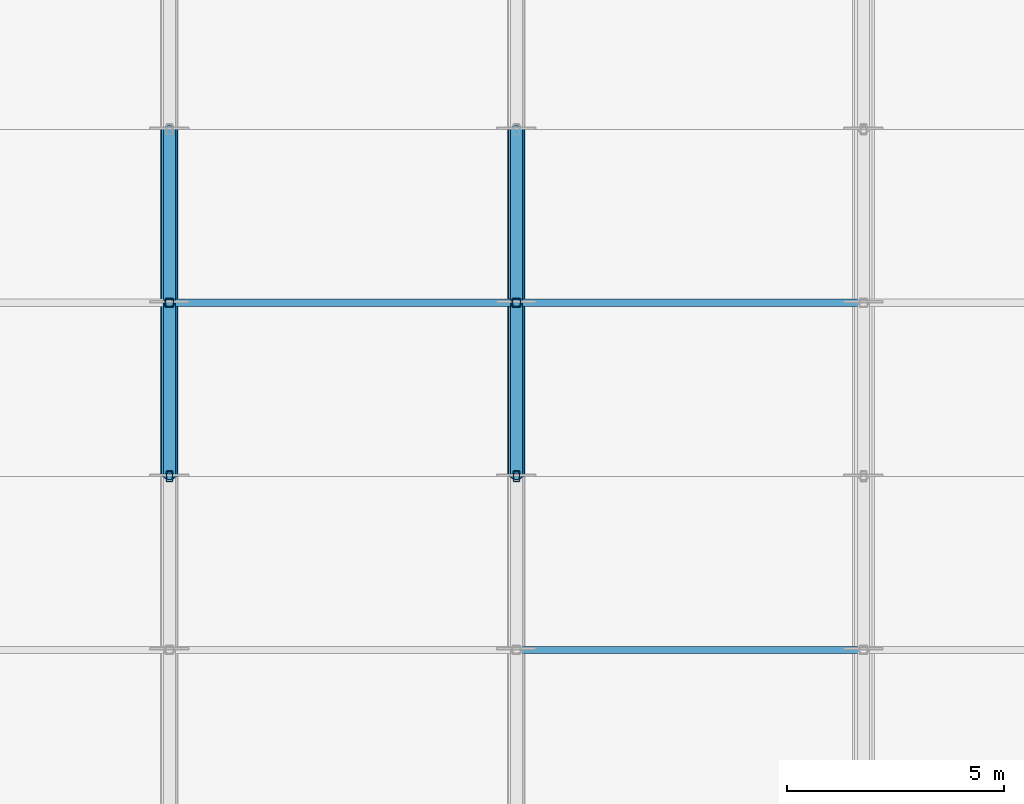
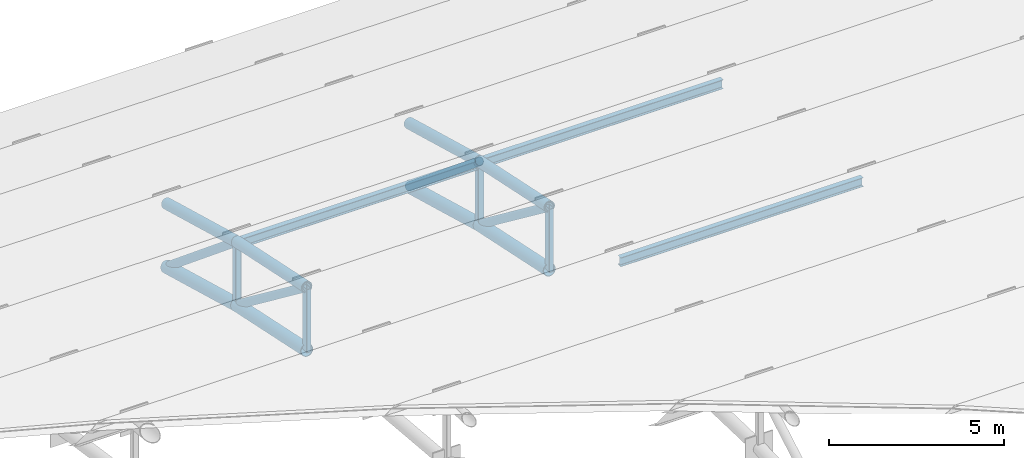
# One storey, part 32 of 98: 19 members.
"""IFC4 building model written with IfcOpenShell, lengths in metres."""

from ifc_helpers import new_model, si_unit, direction, frame, origin, origin_2d, place, context, subcontext, project, spatial, hollow_rectangle, hollow_circle, i_section, extrude, material, material_profile, profile_set, type_object, element, save


model = new_model("IFC4")

# Units and contexts
model_context = context("Model", 3, precision=1e-05, world=origin(), true_north=direction((0.0, 1.0)))
body_context = subcontext(model_context, "Body", "Model", "MODEL_VIEW")
ifc_project = project(units=[si_unit("LENGTHUNIT", "METRE"), si_unit("AREAUNIT", "SQUARE_METRE"), si_unit("VOLUMEUNIT", "CUBIC_METRE"), si_unit("PLANEANGLEUNIT", "RADIAN"), si_unit("MASSUNIT", "GRAM", prefix="KILO")], contexts=[model_context])

# Site, building, storey
site_placement = place(None, origin())
site = spatial("IfcSite", under=ifc_project, at=site_placement, CompositionType="ELEMENT")
building_placement = place(site_placement, origin())
building = spatial("IfcBuilding", under=site, at=building_placement, Name="Tlacozan Convention Centre", CompositionType="ELEMENT")
storey_placement = place(building_placement, frame((0.0, 0.0, 25.800048828125)))
storey = spatial("IfcBuildingStorey", under=building, at=storey_placement, Name="Roof", CompositionType="ELEMENT", Elevation=25.800048828125)

# Members
ifc_material_1 = material(Name="Steel ASTM A500 Grade C", Category="steel")
ifc_material_profile_1 = material_profile(ifc_material_1, hollow_circle(Radius=0.203125, WallThickness=0.015869140625, at=origin_2d()), Name="OC 406.4x15.9")
ifc_profile_set_1 = profile_set([ifc_material_profile_1], Name="Steel ASTM A500 Grade C")
member_type_1 = type_object("IfcMemberType", Name="Arch Bottom Chord OC 406.4x15.9", PredefinedType="CHORD", material=ifc_profile_set_1)
member_1_placement = place(storey_placement, frame((80.0, 106.0, -5.8671875), z_axis=(0.0, 0.978552953366, -0.205995430674), x_axis=(-1.0, 0.0, 0.0)))
element("IfcMember", 1, at=member_1_placement, inside=storey, type_object=member_type_1, Name="V2A Roof Truss 11 Bottom Chord 12", PredefinedType="CHORD", context=body_context, shape_type="SweptSolid", body=[
    extrude(hollow_circle(Radius=0.203125, WallThickness=0.015869140625, at=origin_2d()), origin(), (0.0, 0.0, 1.0), 4.087646484375),
])
member_2_placement = place(storey_placement, frame((80.0, 110.0, -6.709228515625), z_axis=(0.0, 0.964289609145, -0.26485005134), x_axis=(-1.0, 0.0, 0.0)))
element("IfcMember", 2, at=member_2_placement, inside=storey, type_object=member_type_1, Name="V2A Roof Truss 11 Bottom Chord 13", PredefinedType="CHORD", context=body_context, shape_type="SweptSolid", body=[
    extrude(hollow_circle(Radius=0.203125, WallThickness=0.015869140625, at=origin_2d()), origin(), (0.0, 0.0, 1.0), 4.148193359375),
])
member_3_placement = place(storey_placement, frame((88.0, 106.0, -5.8671875), z_axis=(0.0, 0.978552953366, -0.205995430674), x_axis=(-1.0, 0.0, 0.0)))
element("IfcMember", 3, at=member_3_placement, inside=storey, type_object=member_type_1, Name="V2A Roof Truss 12 Bottom Chord 12", PredefinedType="CHORD", context=body_context, shape_type="SweptSolid", body=[
    extrude(hollow_circle(Radius=0.203125, WallThickness=0.015869140625, at=origin_2d()), origin(), (0.0, 0.0, 1.0), 4.087646484375),
])
member_4_placement = place(storey_placement, frame((88.0, 110.0, -6.709228515625), z_axis=(0.0, 0.964289609145, -0.26485005134), x_axis=(-1.0, 0.0, 0.0)))
element("IfcMember", 4, at=member_4_placement, inside=storey, type_object=member_type_1, Name="V2A Roof Truss 12 Bottom Chord 13", PredefinedType="CHORD", context=body_context, shape_type="SweptSolid", body=[
    extrude(hollow_circle(Radius=0.203125, WallThickness=0.015869140625, at=origin_2d()), origin(), (0.0, 0.0, 1.0), 4.148193359375),
])
ifc_material_profile_2 = material_profile(ifc_material_1, hollow_circle(Radius=0.136474609375, WallThickness=0.0126953125, at=origin_2d()), Name="OC 273.1x12.7")
ifc_profile_set_2 = profile_set([ifc_material_profile_2], Name="Steel ASTM A500 Grade C")
member_type_2 = type_object("IfcMemberType", Name="Arch Web Diagonal OC 273.1x12.7", PredefinedType="BRACE", material=ifc_profile_set_2)
member_5_placement = place(storey_placement, frame((80.0, 106.0, -3.667236328125), z_axis=(0.0, 0.795971176065, -0.605334524766), x_axis=(-1.0, 0.0, 0.0)))
element("IfcMember", 5, at=member_5_placement, inside=storey, type_object=member_type_2, Name="V2A Roof Truss 11 Web Diagonal 12", PredefinedType="BRACE", context=body_context, shape_type="SweptSolid", body=[
    extrude(hollow_circle(Radius=0.136474609375, WallThickness=0.0126953125, at=origin_2d()), origin(), (0.0, 0.0, 1.0), 5.025390625),
])
member_6_placement = place(storey_placement, frame((80.0, 110.0, -4.50927734375), z_axis=(0.0, 0.771507331308, -0.63622043172), x_axis=(-1.0, 0.0, 0.0)))
element("IfcMember", 6, at=member_6_placement, inside=storey, type_object=member_type_2, Name="V2A Roof Truss 11 Web Diagonal 13", PredefinedType="BRACE", context=body_context, shape_type="SweptSolid", body=[
    extrude(hollow_circle(Radius=0.136474609375, WallThickness=0.0126953125, at=origin_2d()), origin(), (0.0, 0.0, 1.0), 5.1845703125),
])
member_7_placement = place(storey_placement, frame((88.0, 106.0, -3.667236328125), z_axis=(0.0, 0.795971176065, -0.605334524766), x_axis=(-1.0, 0.0, 0.0)))
element("IfcMember", 7, at=member_7_placement, inside=storey, type_object=member_type_2, Name="V2A Roof Truss 12 Web Diagonal 12", PredefinedType="BRACE", context=body_context, shape_type="SweptSolid", body=[
    extrude(hollow_circle(Radius=0.136474609375, WallThickness=0.0126953125, at=origin_2d()), origin(), (0.0, 0.0, 1.0), 5.025390625),
])
member_8_placement = place(storey_placement, frame((88.0, 110.0, -4.50927734375), z_axis=(0.0, 0.771507331308, -0.63622043172), x_axis=(-1.0, 0.0, 0.0)))
element("IfcMember", 8, at=member_8_placement, inside=storey, type_object=member_type_2, Name="V2A Roof Truss 12 Web Diagonal 13", PredefinedType="BRACE", context=body_context, shape_type="SweptSolid", body=[
    extrude(hollow_circle(Radius=0.136474609375, WallThickness=0.0126953125, at=origin_2d()), origin(), (0.0, 0.0, 1.0), 5.1845703125),
])
ifc_material_profile_3 = material_profile(ifc_material_1, hollow_rectangle(XDim=0.203125, YDim=0.203125, WallThickness=0.0126953125, InnerFilletRadius=0.0126953125, OuterFilletRadius=0.02490234375, at=origin_2d()), Name="OR 203x203x12.7")
ifc_profile_set_3 = profile_set([ifc_material_profile_3], Name="Steel ASTM A500 Grade C")
member_type_3 = type_object("IfcMemberType", Name="Arch Web Strut OR 203x203x12.7", PredefinedType="STRUT", material=ifc_profile_set_3)
for number, where, z_axis, x_axis, name in (
    (9, (80.0, 110.0, -6.709228515625), (0.0, 0.0, 1.0), (1.0, 0.0, 0.0), "V2A Roof Truss 11 Vertical Strut 13"),
    (10, (88.0, 110.0, -6.709228515625), (0.0, 0.0, 1.0), (1.0, 0.0, 0.0), "V2A Roof Truss 12 Vertical Strut 13"),
):
    element("IfcMember", number, at=place(storey_placement, frame(where, z_axis=z_axis, x_axis=x_axis)), inside=storey, type_object=member_type_3, Name=name, PredefinedType="STRUT", context=body_context, shape_type="SweptSolid", body=[
        extrude(hollow_rectangle(XDim=0.203125, YDim=0.203125, WallThickness=0.0126953125, InnerFilletRadius=0.0126953125, OuterFilletRadius=0.02490234375, at=origin_2d()), origin(), (0.0, 0.0, 1.0), 2.199951171875),
    ])
ifc_material_2 = material(Name="Steel ASTM A992 Grade 50", Category="steel")
ifc_material_profile_4 = material_profile(ifc_material_2, i_section(OverallWidth=0.1669921875, OverallDepth=0.31689453125, WebThickness=0.007568359375, FlangeThickness=0.01318359375, FilletRadius=0.010009765625, at=origin_2d()), Name="IR 305x52.2")
ifc_profile_set_4 = profile_set([ifc_material_profile_4], Name="Steel ASTM A992 Grade 50")
member_type_4 = type_object("IfcMemberType", Name="Roof Purlin IR 305x52.2", PredefinedType="PURLIN", material=ifc_profile_set_4)
for number, where, z_axis, x_axis, name in (
    (11, (80.0, 110.0, -4.57421875), (1.0, 0.0, 0.0), (0.0, 1.0, 0.0), "V2A Roof Truss Purlin 11.13"),
    (12, (88.0, 102.0, -3.13720703125), (1.0, 0.0, 0.0), (0.0, 1.0, 0.0), "V2A Roof Truss Purlin 12.11"),
    (13, (88.0, 110.0, -4.57421875), (1.0, 0.0, 0.0), (0.0, 1.0, 0.0), "V2A Roof Truss Purlin 12.13"),
):
    element("IfcMember", number, at=place(storey_placement, frame(where, z_axis=z_axis, x_axis=x_axis)), inside=storey, type_object=member_type_4, Name=name, PredefinedType="PURLIN", context=body_context, shape_type="SweptSolid", body=[
        extrude(i_section(OverallWidth=0.1669921875, OverallDepth=0.31689453125, WebThickness=0.007568359375, FlangeThickness=0.01318359375, FilletRadius=0.010009765625, at=origin_2d()), origin(), (0.0, 0.0, 1.0), 8.0),
    ])
ifc_material_profile_5 = material_profile(ifc_material_1, hollow_circle(Radius=0.177734375, WallThickness=0.015869140625, at=origin_2d()), Name="OC 355.6x15.9")
ifc_profile_set_5 = profile_set([ifc_material_profile_5], Name="Steel ASTM A500 Grade C")
member_type_5 = type_object("IfcMemberType", Name="Secondary Arch Chord OC 355.6x15.9", PredefinedType="CHORD", material=ifc_profile_set_5)
member_9_placement = place(storey_placement, frame((80.0, 106.0, -3.667236328125), z_axis=(0.0, 0.978552953366, -0.205995430674), x_axis=(-1.0, 0.0, 0.0)))
element("IfcMember", 14, at=member_9_placement, inside=storey, type_object=member_type_5, Name="V2A Roof Truss 11 Top Chord 12", PredefinedType="CHORD", context=body_context, shape_type="SweptSolid", body=[
    extrude(hollow_circle(Radius=0.177734375, WallThickness=0.015869140625, at=origin_2d()), origin(), (0.0, 0.0, 1.0), 4.087646484375),
])
member_10_placement = place(storey_placement, frame((80.0, 110.0, -4.50927734375), z_axis=(0.0, 0.964304639076, -0.264795322949), x_axis=(-1.0, 0.0, 0.0)))
element("IfcMember", 15, at=member_10_placement, inside=storey, type_object=member_type_5, Name="V2A Roof Truss 11 Top Chord 13", PredefinedType="CHORD", context=body_context, shape_type="SweptSolid", body=[
    extrude(hollow_circle(Radius=0.177734375, WallThickness=0.015869140625, at=origin_2d()), origin(), (0.0, 0.0, 1.0), 4.14794921875),
])
member_11_placement = place(storey_placement, frame((88.0, 106.0, -3.667236328125), z_axis=(0.0, 0.978552953366, -0.205995430674), x_axis=(-1.0, 0.0, 0.0)))
element("IfcMember", 16, at=member_11_placement, inside=storey, type_object=member_type_5, Name="V2A Roof Truss 12 Top Chord 12", PredefinedType="CHORD", context=body_context, shape_type="SweptSolid", body=[
    extrude(hollow_circle(Radius=0.177734375, WallThickness=0.015869140625, at=origin_2d()), origin(), (0.0, 0.0, 1.0), 4.087646484375),
])
member_12_placement = place(storey_placement, frame((88.0, 110.0, -4.50927734375), z_axis=(0.0, 0.964304639076, -0.264795322949), x_axis=(-1.0, 0.0, 0.0)))
element("IfcMember", 17, at=member_12_placement, inside=storey, type_object=member_type_5, Name="V2A Roof Truss 12 Top Chord 13", PredefinedType="CHORD", context=body_context, shape_type="SweptSolid", body=[
    extrude(hollow_circle(Radius=0.177734375, WallThickness=0.015869140625, at=origin_2d()), origin(), (0.0, 0.0, 1.0), 4.14794921875),
])
ifc_material_profile_6 = material_profile(ifc_material_1, hollow_rectangle(XDim=0.15234375, YDim=0.25390625, WallThickness=0.0126953125, InnerFilletRadius=0.0126953125, OuterFilletRadius=0.02490234375, at=origin_2d()), Name="OR 254x152x12.7")
ifc_profile_set_6 = profile_set([ifc_material_profile_6], Name="Steel ASTM A500 Grade C")
member_type_6 = type_object("IfcMemberType", Name="Truss Secondary Strut OR 254x152x12.7", PredefinedType="STRUT", material=ifc_profile_set_6)
for number, where, z_axis, x_axis, name in (
    (18, (80.0, 106.0, -5.8671875), (0.0, 0.0, 1.0), (1.0, 0.0, 0.0), "V2A Roof Truss 11 Vertical Strut 12"),
    (19, (88.0, 106.0, -5.8671875), (0.0, 0.0, 1.0), (1.0, 0.0, 0.0), "V2A Roof Truss 12 Vertical Strut 12"),
):
    element("IfcMember", number, at=place(storey_placement, frame(where, z_axis=z_axis, x_axis=x_axis)), inside=storey, type_object=member_type_6, Name=name, PredefinedType="STRUT", context=body_context, shape_type="SweptSolid", body=[
        extrude(hollow_rectangle(XDim=0.15234375, YDim=0.25390625, WallThickness=0.0126953125, InnerFilletRadius=0.0126953125, OuterFilletRadius=0.02490234375, at=origin_2d()), origin(), (0.0, 0.0, 1.0), 2.199951171875),
    ])

save(model, "model.ifc")
